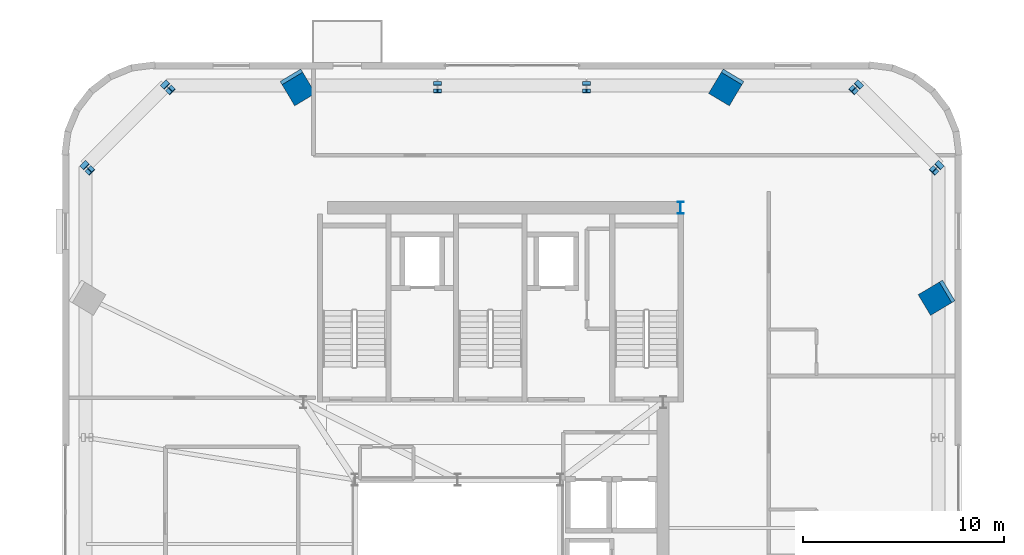
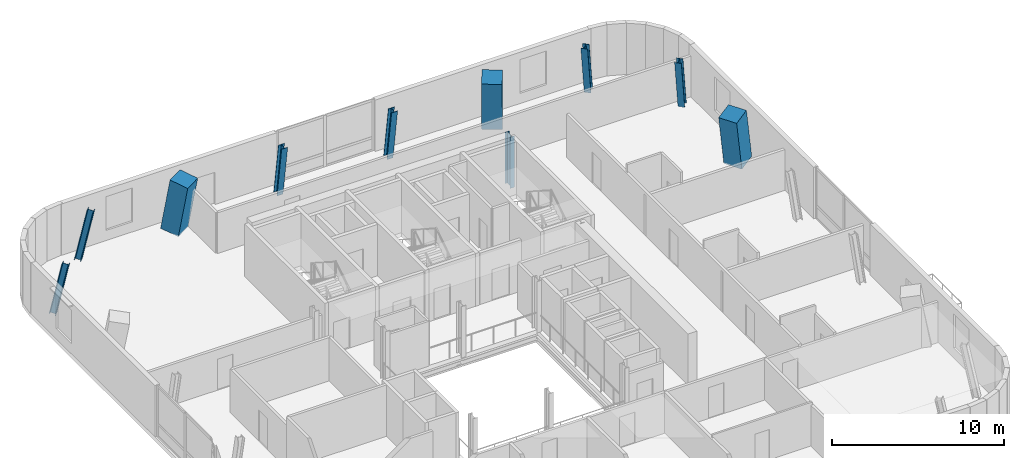
# One storey, part 2 of 15: 10 columns.
"""IFC4 building model written with IfcOpenShell, lengths in metres."""

from ifc_helpers import new_model, si_unit, direction, frame, origin, origin_2d, place, context, subcontext, project, spatial, rectangle, i_section, extrude, source, transform, mapped, material, material_profile, profile_set, type_object, element, save


model = new_model("IFC4")

# Units and contexts
model_context = context("Model", 3, precision=1e-05, world=origin(), true_north=direction((0.0, 1.0)))
body_context = subcontext(model_context, "Body", "Model", "MODEL_VIEW")
ifc_project = project(units=[si_unit("LENGTHUNIT", "METRE"), si_unit("AREAUNIT", "SQUARE_METRE"), si_unit("VOLUMEUNIT", "CUBIC_METRE"), si_unit("PLANEANGLEUNIT", "RADIAN"), si_unit("MASSUNIT", "GRAM", prefix="KILO")], contexts=[model_context])

# Site, building, storey
site_placement = place(None, origin())
site = spatial("IfcSite", under=ifc_project, at=site_placement, CompositionType="ELEMENT")
building_placement = place(site_placement, origin())
building = spatial("IfcBuilding", under=site, at=building_placement, Name="Vardaveli Station Tower", CompositionType="ELEMENT")
storey_placement = place(building_placement, frame((0.0, 0.0, 262.449951171875)))
storey = spatial("IfcBuildingStorey", under=building, at=storey_placement, Name="L67", CompositionType="ELEMENT", Elevation=262.449951171875)

# Columns
ifc_material_1 = material(Name="Structural steel S460M", Category="steel")
ifc_material_profile_1 = material_profile(ifc_material_1, i_section(OverallWidth=0.300048828125, OverallDepth=0.60009765625, WebThickness=0.015380859375, FlangeThickness=0.030029296875, FilletRadius=0.027099609375, at=origin_2d()), Name="HEB 600")
ifc_profile_set_1 = profile_set([ifc_material_profile_1], Name="Structural steel S460M")
column_type_1 = type_object("IfcColumnType", Name="COL-HEB600", PredefinedType="COLUMN", material=ifc_profile_set_1)
shared_shape_1 = source(origin(), body_context, "Body", "SweptSolid", [
    extrude(i_section(OverallWidth=0.300048828125, OverallDepth=0.60009765625, WebThickness=0.015380859375, FlangeThickness=0.030029296875, FilletRadius=0.027099609375, at=origin_2d()), origin(), (0.0, 0.0, 1.0), 3.650146484375),
])
column_placement = place(storey_placement, frame((47.3701171875, 40.300048828125, 0.0), z_axis=(0.0, 0.0, 1.0), x_axis=(1.0, 0.0, 0.0)))
element("IfcColumn", 1, at=column_placement, inside=storey, type_object=column_type_1, Name="COL-L67-CC3", PredefinedType="COLUMN", context=body_context, shape_type="MappedRepresentation", body=[
    mapped(shared_shape_1, transform((0.0, 0.0, 0.0), scale=1.0)),
])
ifc_material_2 = material(Name="Concrete C50/60", Category="concrete")
ifc_material_profile_2 = material_profile(ifc_material_2, rectangle(XDim=1.199951171875, YDim=1.199951171875, at=origin_2d()), Name="MC 1200x1200")
ifc_profile_set_2 = profile_set([ifc_material_profile_2], Name="Concrete C50/60")
column_type_2 = type_object("IfcColumnType", Name="COL-MC-1200", PredefinedType="COLUMN", material=ifc_profile_set_2)
shared_shape_2 = source(origin(), body_context, "Body", "SweptSolid", [
    extrude(rectangle(XDim=1.199951171875, YDim=1.199951171875, at=origin_2d()), origin(), (0.0, 0.0, 1.0), 3.7041015625),
])
for number, where, z_axis, x_axis, name in (
    (2, (60.169921875, 35.89208984375, 0.0), (-0.145795933552, -0.087464377858, 0.985440778721), (0.514438743924, -0.857527130037, 0.0), "COL-L67-MC4"),
    (3, (49.69189453125, 46.3701171875, 0.0), (-0.087464377858, -0.145795933552, 0.985440778721), (0.857527130037, -0.514438743924, 0.0), "COL-L67-MC5"),
    (4, (28.30810546875, 46.3701171875, 0.0), (0.087464377858, -0.145795933552, 0.985440778721), (0.857527130037, 0.514438743924, 0.0), "COL-L67-MC6"),
):
    element("IfcColumn", number, at=place(storey_placement, frame(where, z_axis=z_axis, x_axis=x_axis)), inside=storey, type_object=column_type_2, Name=name, PredefinedType="COLUMN", context=body_context, shape_type="MappedRepresentation", body=[
        mapped(shared_shape_2, transform((0.0, 0.0, 0.0), scale=1.0)),
    ])
ifc_material_profile_3 = material_profile(ifc_material_1, i_section(OverallWidth=0.405029296875, OverallDepth=0.403076171875, WebThickness=0.017822265625, FlangeThickness=0.02783203125, FilletRadius=0.014892578125, at=origin_2d()), Name="HD 400x287")
ifc_profile_set_3 = profile_set([ifc_material_profile_3], Name="Structural steel S460M")
column_type_3 = type_object("IfcColumnType", Name="COL-HD287", PredefinedType="COLUMN", material=ifc_profile_set_3)
shared_shape_3 = source(origin(), body_context, "Body", "SweptSolid", [
    extrude(i_section(OverallWidth=0.405029296875, OverallDepth=0.403076171875, WebThickness=0.017822265625, FlangeThickness=0.02783203125, FilletRadius=0.014892578125, at=origin_2d()), origin(), (0.0, 0.0, 1.0), 3.729248046875),
])
for number, where, z_axis, x_axis, name in (
    (5, (60.169921875, 42.3701171875, 0.0), (-0.144814060531, -0.144814060531, 0.978804258136), (0.707106781187, -0.707106781187, 0.0), "COL-L67-PC08"),
    (6, (56.169921875, 46.3701171875, 0.0), (-0.144814060531, -0.144814060531, 0.978804258136), (0.707106781187, -0.707106781187, 0.0), "COL-L67-PC09"),
    (7, (21.830078125, 46.3701171875, 0.0), (0.144814060531, -0.144814060531, 0.978804258136), (0.707106781187, 0.707106781187, 0.0), "COL-L67-PC12"),
    (8, (17.830078125, 42.3701171875, 0.0), (0.144814060531, -0.144814060531, 0.978804258136), (0.707106781187, 0.707106781187, 0.0), "COL-L67-PC13"),
):
    element("IfcColumn", number, at=place(storey_placement, frame(where, z_axis=z_axis, x_axis=x_axis)), inside=storey, type_object=column_type_3, Name=name, PredefinedType="COLUMN", context=body_context, shape_type="MappedRepresentation", body=[
        mapped(shared_shape_3, transform((0.0, 0.0, 0.0), scale=1.0)),
    ])
shared_shape_4 = source(origin(), body_context, "Body", "SweptSolid", [
    extrude(i_section(OverallWidth=0.405029296875, OverallDepth=0.403076171875, WebThickness=0.017822265625, FlangeThickness=0.02783203125, FilletRadius=0.014892578125, at=origin_2d()), origin(), (0.0, 0.0, 1.0), 3.68994140625),
])
for number, where, z_axis, x_axis, name in (
    (9, (42.699951171875, 46.3701171875, 0.0), (0.0, -0.146356824444, 0.989231863588), (1.0, 0.0, 0.0), "COL-L67-PC10"),
    (10, (35.300048828125, 46.3701171875, 0.0), (0.0, -0.146356824444, 0.989231863588), (1.0, 0.0, 0.0), "COL-L67-PC11"),
):
    element("IfcColumn", number, at=place(storey_placement, frame(where, z_axis=z_axis, x_axis=x_axis)), inside=storey, type_object=column_type_3, Name=name, PredefinedType="COLUMN", context=body_context, shape_type="MappedRepresentation", body=[
        mapped(shared_shape_4, transform((0.0, 0.0, 0.0), scale=1.0)),
    ])

save(model, "model.ifc")
